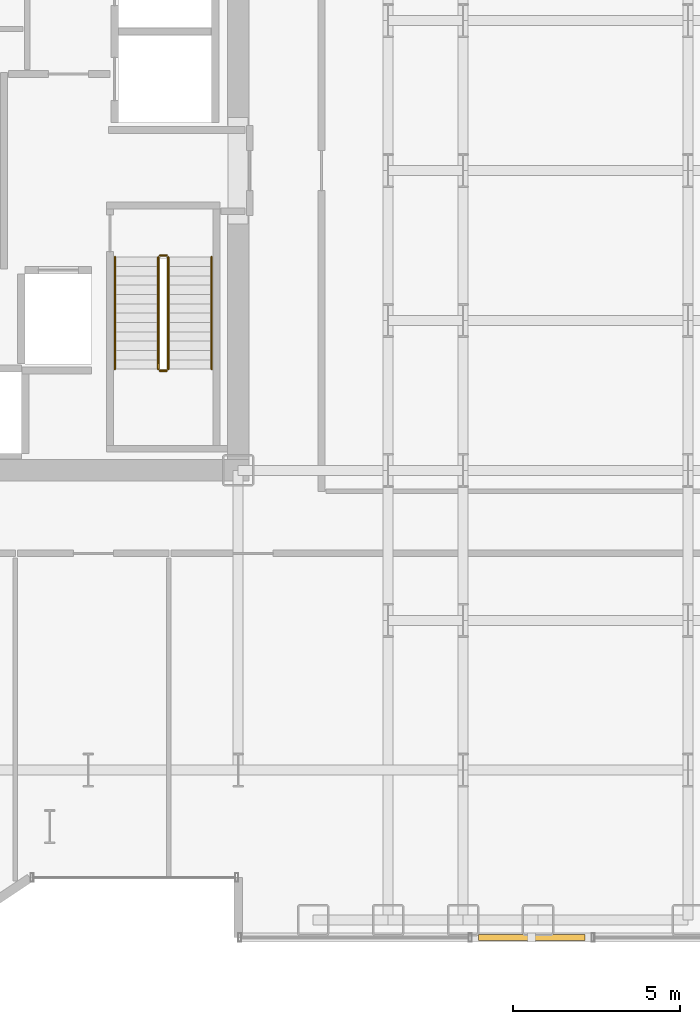
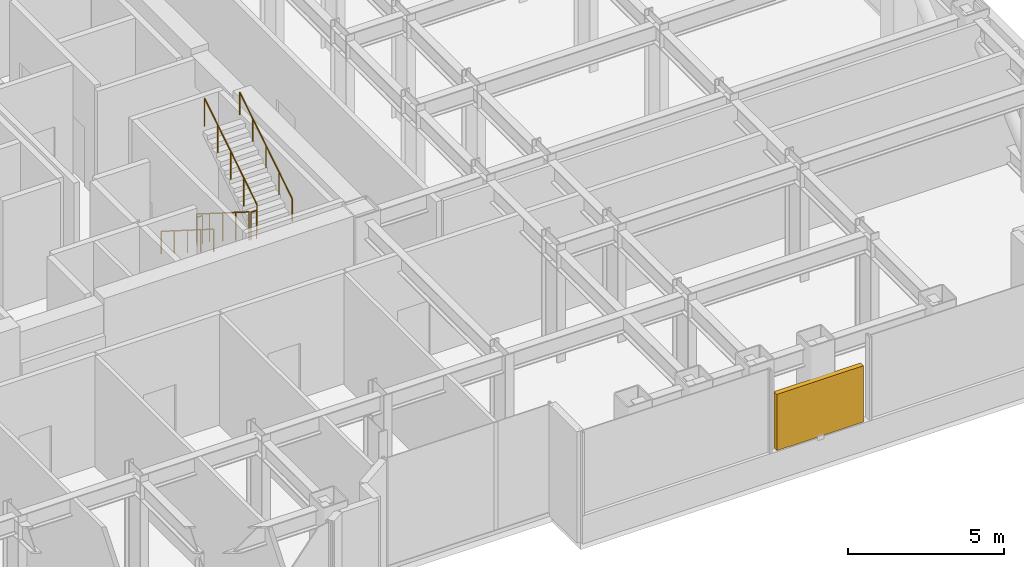
# One storey, part 29 of 30: 6 railings, 1 shading device.
"""IFC4 building model written with IfcOpenShell, lengths in metres."""

from ifc_helpers import new_model, si_unit, direction, frame, origin, origin_2d, place, context, subcontext, project, spatial, rectangle, circle, extrude, source, transform, mapped, material, type_object, element, save


model = new_model("IFC4")

# Units and contexts
model_context = context("Model", 3, precision=1e-05, world=origin(), true_north=direction((0.0, 1.0)))
body_context = subcontext(model_context, "Body", "Model", "MODEL_VIEW")
ifc_project = project(units=[si_unit("LENGTHUNIT", "METRE"), si_unit("AREAUNIT", "SQUARE_METRE"), si_unit("VOLUMEUNIT", "CUBIC_METRE"), si_unit("PLANEANGLEUNIT", "RADIAN"), si_unit("MASSUNIT", "GRAM", prefix="KILO")], contexts=[model_context])

# Site, building, storey
site_placement = place(None, origin())
site = spatial("IfcSite", under=ifc_project, at=site_placement, CompositionType="ELEMENT")
building_placement = place(site_placement, origin())
building = spatial("IfcBuilding", under=site, at=building_placement, Name="Nefas-Gora Pilgrimage Tower", CompositionType="ELEMENT")
storey_placement = place(building_placement, frame((0.0, 0.0, 86.199951171875)))
storey = spatial("IfcBuildingStorey", under=building, at=storey_placement, Name="L20", CompositionType="ELEMENT", Elevation=86.199951171875)

# Railings
ifc_material_1 = material(Name="Painted galvanised steel", Category="steel")
railing_type_1 = type_object("IfcRailingType", Name="RLG-STR-GUARD-1100", PredefinedType="GUARDRAIL", material=ifc_material_1)
railing_1_placement = place(storey_placement, frame((8.85009765625, -2.60009765625, 0.177001953125)))
element("IfcRailing", 1, at=railing_1_placement, inside=storey, type_object=railing_type_1, Name="L20 ST-02 stair guard 1", PredefinedType="GUARDRAIL", context=body_context, shape_type="SweptSolid", body=[
    extrude(circle(Radius=0.02392578125, at=origin_2d()), frame((0.0, 0.0, 1.09619140625), z_axis=(0.0, -0.845372108799, 0.534177870812), x_axis=(1.0, 0.0, 0.0)), (0.0, 0.0, 1.0), 3.974365234375),
    extrude(circle(Radius=0.02099609375, at=origin_2d()), origin(), (0.0, 0.0, 1.0), 1.072021484375),
    extrude(circle(Radius=0.02099609375, at=origin_2d()), frame((0.0, -0.83984375, 0.53076171875)), (0.0, 0.0, 1.0), 1.072021484375),
    extrude(circle(Radius=0.02099609375, at=origin_2d()), frame((0.0, -1.679931640625, 1.0615234375)), (0.0, 0.0, 1.0), 1.072021484375),
    extrude(circle(Radius=0.02099609375, at=origin_2d()), frame((0.0, -2.52001953125, 1.59228515625)), (0.0, 0.0, 1.0), 1.072021484375),
    extrude(circle(Radius=0.02099609375, at=origin_2d()), frame((0.0, -3.35986328125, 2.123046875)), (0.0, 0.0, 1.0), 1.072021484375),
])
railing_2_placement = place(storey_placement, frame((8.89990234375, -6.010009765625, 2.300048828125)))
element("IfcRailing", 2, at=railing_2_placement, inside=storey, type_object=railing_type_1, Name="L20 ST-02 stair guard 2", PredefinedType="GUARDRAIL", context=body_context, shape_type="SweptSolid", body=[
    extrude(circle(Radius=0.02392578125, at=origin_2d()), frame((0.0, 0.0, 1.09619140625), z_axis=(1.0, 0.0, 0.0), x_axis=(0.0, 1.0, 0.0)), (0.0, 0.0, 1.0), 0.2001953125),
    extrude(circle(Radius=0.02099609375, at=origin_2d()), origin(), (0.0, 0.0, 1.0), 1.072021484375),
    extrude(circle(Radius=0.02099609375, at=origin_2d()), frame((0.2001953125, 0.0, 0.0)), (0.0, 0.0, 1.0), 1.072021484375),
])
railing_3_placement = place(storey_placement, frame((9.14990234375, -5.9599609375, 2.47705078125)))
element("IfcRailing", 3, at=railing_3_placement, inside=storey, type_object=railing_type_1, Name="L20 ST-02 stair guard 3", PredefinedType="GUARDRAIL", context=body_context, shape_type="SweptSolid", body=[
    extrude(circle(Radius=0.02392578125, at=origin_2d()), frame((0.0, 0.0, 1.09619140625), z_axis=(0.0, 0.845372108799, 0.534177870812), x_axis=(-1.0, 0.0, 0.0)), (0.0, 0.0, 1.0), 3.974365234375),
    extrude(circle(Radius=0.02099609375, at=origin_2d()), origin(), (0.0, 0.0, 1.0), 1.072021484375),
    extrude(circle(Radius=0.02099609375, at=origin_2d()), frame((0.0, 0.83984375, 0.53076171875)), (0.0, 0.0, 1.0), 1.072021484375),
    extrude(circle(Radius=0.02099609375, at=origin_2d()), frame((0.0, 1.679931640625, 1.0615234375)), (0.0, 0.0, 1.0), 1.072021484375),
    extrude(circle(Radius=0.02099609375, at=origin_2d()), frame((0.0, 2.52001953125, 1.59228515625)), (0.0, 0.0, 1.0), 1.072021484375),
    extrude(circle(Radius=0.02099609375, at=origin_2d()), frame((0.0, 3.35986328125, 2.123046875)), (0.0, 0.0, 1.0), 1.072021484375),
])
railing_4_placement = place(storey_placement, frame((8.89990234375, -2.550048828125, 0.0)))
element("IfcRailing", 4, at=railing_4_placement, inside=storey, type_object=railing_type_1, Name="L20 ST-02 stair guard 4", PredefinedType="GUARDRAIL", context=body_context, shape_type="SweptSolid", body=[
    extrude(circle(Radius=0.02392578125, at=origin_2d()), frame((0.0, 0.0, 1.09619140625), z_axis=(1.0, 0.0, 0.0), x_axis=(0.0, 1.0, 0.0)), (0.0, 0.0, 1.0), 0.2001953125),
    extrude(circle(Radius=0.02099609375, at=origin_2d()), origin(), (0.0, 0.0, 1.0), 1.072021484375),
    extrude(circle(Radius=0.02099609375, at=origin_2d()), frame((0.2001953125, 0.0, 0.0)), (0.0, 0.0, 1.0), 1.072021484375),
])
ifc_material_2 = material(Name="Brushed stainless steel", Category="steel")
railing_type_2 = type_object("IfcRailingType", Name="RLG-STR-HAND-900", PredefinedType="HANDRAIL", material=ifc_material_2)
railing_5_placement = place(storey_placement, frame((7.550048828125, -2.60009765625, 0.177001953125)))
element("IfcRailing", 5, at=railing_5_placement, inside=storey, type_object=railing_type_2, Name="L20 ST-02 stair handrail 1", PredefinedType="HANDRAIL", context=body_context, shape_type="SweptSolid", body=[
    extrude(circle(Radius=0.02392578125, at=origin_2d()), frame((0.0, 0.0, 0.8759765625), z_axis=(0.0, -0.845372108799, 0.534177870812), x_axis=(1.0, 0.0, 0.0)), (0.0, 0.0, 1.0), 3.974365234375),
    extrude(circle(Radius=0.02099609375, at=origin_2d()), origin(), (0.0, 0.0, 1.0), 0.851806640625),
    extrude(circle(Radius=0.02099609375, at=origin_2d()), frame((0.0, -0.83984375, 0.53076171875)), (0.0, 0.0, 1.0), 0.851806640625),
    extrude(circle(Radius=0.02099609375, at=origin_2d()), frame((0.0, -1.679931640625, 1.0615234375)), (0.0, 0.0, 1.0), 0.851806640625),
    extrude(circle(Radius=0.02099609375, at=origin_2d()), frame((0.0, -2.52001953125, 1.59228515625)), (0.0, 0.0, 1.0), 0.851806640625),
    extrude(circle(Radius=0.02099609375, at=origin_2d()), frame((0.0, -3.35986328125, 2.123046875)), (0.0, 0.0, 1.0), 0.851806640625),
])
railing_6_placement = place(storey_placement, frame((10.449951171875, -5.9599609375, 2.47705078125)))
element("IfcRailing", 6, at=railing_6_placement, inside=storey, type_object=railing_type_2, Name="L20 ST-02 stair handrail 2", PredefinedType="HANDRAIL", context=body_context, shape_type="SweptSolid", body=[
    extrude(circle(Radius=0.02392578125, at=origin_2d()), frame((0.0, 0.0, 0.8759765625), z_axis=(0.0, 0.845372108799, 0.534177870812), x_axis=(-1.0, 0.0, 0.0)), (0.0, 0.0, 1.0), 3.974365234375),
    extrude(circle(Radius=0.02099609375, at=origin_2d()), origin(), (0.0, 0.0, 1.0), 0.851806640625),
    extrude(circle(Radius=0.02099609375, at=origin_2d()), frame((0.0, 0.83984375, 0.53076171875)), (0.0, 0.0, 1.0), 0.851806640625),
    extrude(circle(Radius=0.02099609375, at=origin_2d()), frame((0.0, 1.679931640625, 1.0615234375)), (0.0, 0.0, 1.0), 0.851806640625),
    extrude(circle(Radius=0.02099609375, at=origin_2d()), frame((0.0, 2.52001953125, 1.59228515625)), (0.0, 0.0, 1.0), 0.851806640625),
    extrude(circle(Radius=0.02099609375, at=origin_2d()), frame((0.0, 3.35986328125, 2.123046875)), (0.0, 0.0, 1.0), 0.851806640625),
])

# Shading device
ifc_material_3 = material(Name="Perforated dark-bronze aluminium weather screen", Category="aluminium")
shading_device_type = type_object("IfcShadingDeviceType", Name="SHD-SCREEN-SHUT", PredefinedType="SHUTTER", material=ifc_material_3)
shared_shape = source(origin(), body_context, "Body", "SweptSolid", [
    extrude(rectangle(XDim=3.199951171875, YDim=0.179931640625, at=origin_2d()), origin(), (0.0, 0.0, 1.0), 2.199951171875),
])
shading_device_placement = place(storey_placement, frame((20.06005859375, -23.02001953125, 1.10009765625), z_axis=(0.0, 0.0, 1.0), x_axis=(1.0, 0.0, 0.0)))
element("IfcShadingDevice", 7, at=shading_device_placement, inside=storey, type_object=shading_device_type, Name="L20 High-Altitude Storm Louvre Assembly 6", PredefinedType="SHUTTER", context=body_context, shape_type="MappedRepresentation", body=[
    mapped(shared_shape, transform((0.0, 0.0, 0.0), x_axis=(1.0, 0.0, 0.0), y_axis=(0.0, 1.0, 0.0), z_axis=(0.0, 0.0, 1.0), scale=1.0)),
])

save(model, "model.ifc")
